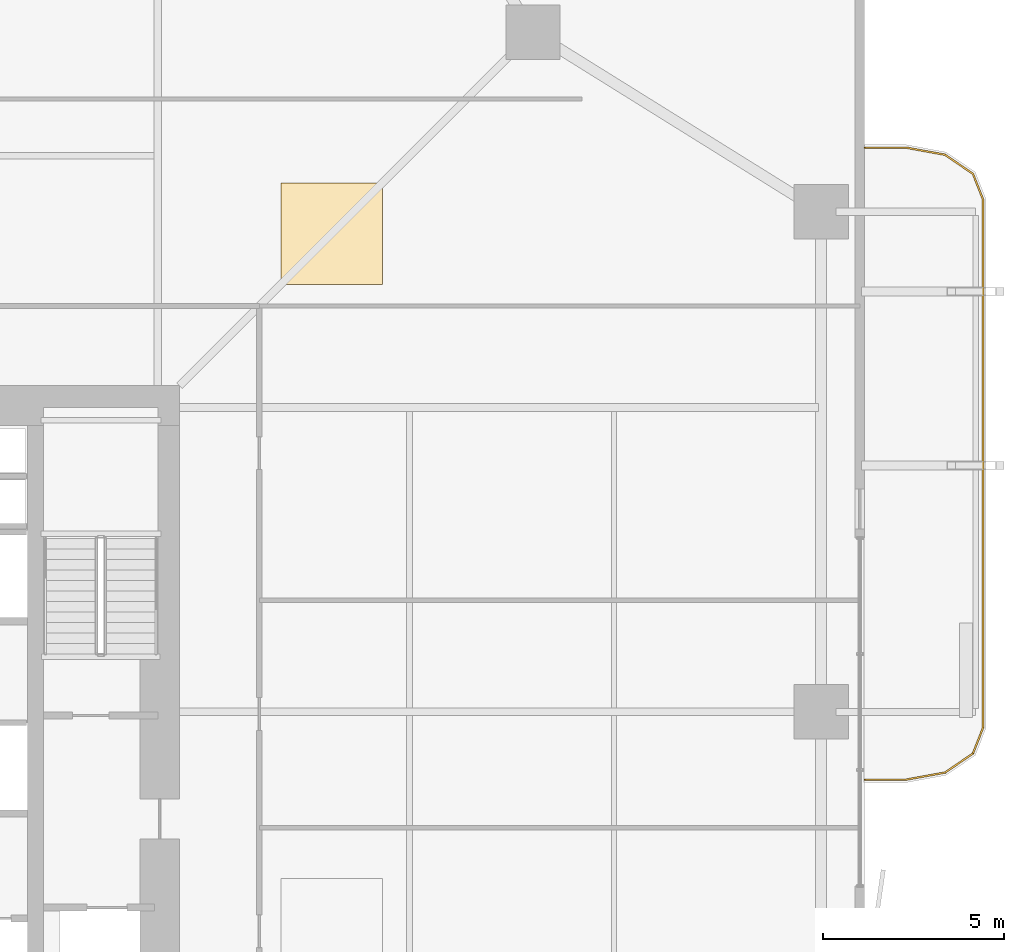
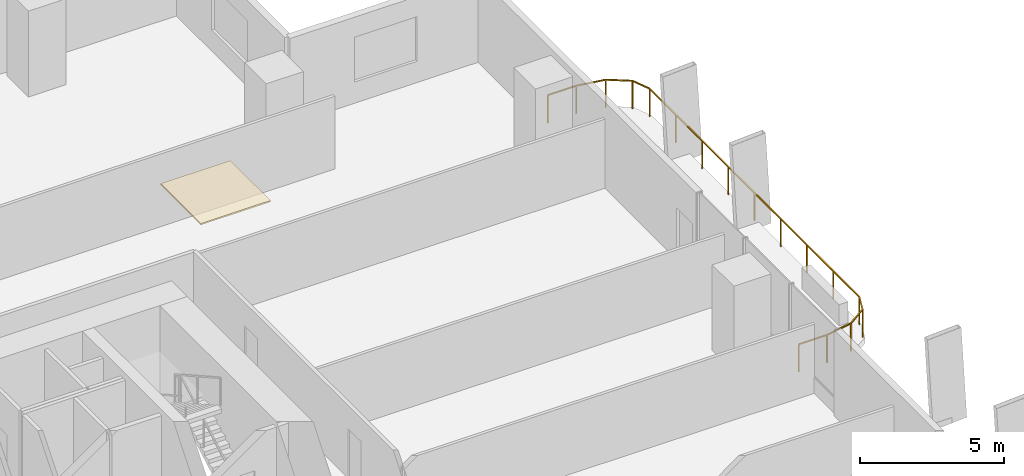
# One storey, part 24 of 24: 1 covering, 1 railing.
"""IFC4 building model written with IfcOpenShell, lengths in metres."""

from ifc_helpers import new_model, si_unit, direction, frame, origin, origin_2d, place, context, subcontext, project, spatial, polyline, rectangle, outline, extrude, material, layer, layer_set, type_object, element, save


model = new_model("IFC4")

# Units and contexts
model_context = context("Model", 3, precision=1e-05, world=origin(), true_north=direction((0.0, 1.0)))
body_context = subcontext(model_context, "Body", "Model", "MODEL_VIEW")
ifc_project = project(units=[si_unit("LENGTHUNIT", "METRE"), si_unit("AREAUNIT", "SQUARE_METRE"), si_unit("VOLUMEUNIT", "CUBIC_METRE"), si_unit("PLANEANGLEUNIT", "RADIAN"), si_unit("MASSUNIT", "GRAM", prefix="KILO")], contexts=[model_context])

# Site, building, storey
site_placement = place(None, origin())
site = spatial("IfcSite", under=ifc_project, at=site_placement, CompositionType="ELEMENT")
building_placement = place(site_placement, origin())
building = spatial("IfcBuilding", under=site, at=building_placement, Name="Belovzor Exchange Tower", CompositionType="ELEMENT")
storey_placement = place(building_placement, frame((0.0, 0.0, 37.800048828125)))
storey = spatial("IfcBuildingStorey", under=building, at=storey_placement, Name="L08", CompositionType="ELEMENT", Elevation=37.800048828125)

# Railing
ifc_material_1 = material(Name="Stainless Steel and Laminated Safety Glass", Category="steel")
railing_type = type_object("IfcRailingType", Name="Laminated Glass & Stainless Steel Balcony Balustrade 1200", PredefinedType="BALUSTRADE", material=ifc_material_1)
railing_placement = place(storey_placement, frame((56.7099609375, 26.929931640625, 0.0)))
element("IfcRailing", 1, at=railing_placement, inside=storey, type_object=railing_type, Name="GR-1 Balcony Balustrade L08 East", PredefinedType="BALUSTRADE", context=body_context, shape_type="SweptSolid", body=[
    extrude(rectangle(XDim=0.048095703125, YDim=0.048095703125, at=origin_2d()), frame((0.0, 0.0, 1.17578125), z_axis=(1.0, 0.0, 0.0), x_axis=(0.0, 1.0, 0.0)), (0.0, 0.0, 1.0), 1.133056640625),
    extrude(rectangle(XDim=0.048095703125, YDim=0.048095703125, at=origin_2d()), frame((1.133056640625, 0.0, 1.17578125), z_axis=(0.983644145941, 0.180122719713, 0.0), x_axis=(-0.180122719713, 0.983644145941, 0.0)), (0.0, 0.0, 1.0), 1.09375),
    extrude(rectangle(XDim=0.048095703125, YDim=0.048095703125, at=origin_2d()), frame((2.208984375, 0.197021484375, 1.17578125), z_axis=(0.826493025367, 0.56294695933, 0.0), x_axis=(-0.56294695933, 0.826493025367, 0.0)), (0.0, 0.0, 1.0), 0.932861328125),
    extrude(rectangle(XDim=0.048095703125, YDim=0.048095703125, at=origin_2d()), frame((2.97998046875, 0.72216796875, 1.17578125), z_axis=(0.365612923861, 0.930766990125, 0.0), x_axis=(-0.930766990125, 0.365612923861, 0.0)), (0.0, 0.0, 1.0), 0.765869140625),
    extrude(rectangle(XDim=0.048095703125, YDim=0.048095703125, at=origin_2d()), frame((3.260009765625, 1.43505859375, 1.17578125), z_axis=(0.0, 1.0, 0.0), x_axis=(-1.0, 0.0, 0.0)), (0.0, 0.0, 1.0), 14.570068359375),
    extrude(rectangle(XDim=0.048095703125, YDim=0.048095703125, at=origin_2d()), frame((3.260009765625, 16.005126953125, 1.17578125), z_axis=(-0.365612923861, 0.930766990125, 0.0), x_axis=(-0.930766990125, -0.365612923861, 0.0)), (0.0, 0.0, 1.0), 0.765869140625),
    extrude(rectangle(XDim=0.048095703125, YDim=0.048095703125, at=origin_2d()), frame((2.97998046875, 16.718017578125, 1.17578125), z_axis=(-0.826493025367, 0.56294695933, 0.0), x_axis=(-0.56294695933, -0.826493025367, 0.0)), (0.0, 0.0, 1.0), 0.932861328125),
    extrude(rectangle(XDim=0.048095703125, YDim=0.048095703125, at=origin_2d()), frame((2.208984375, 17.2431640625, 1.17578125), z_axis=(-0.983644145941, 0.180122719713, 0.0), x_axis=(-0.180122719713, -0.983644145941, 0.0)), (0.0, 0.0, 1.0), 1.09375),
    extrude(rectangle(XDim=0.048095703125, YDim=0.048095703125, at=origin_2d()), frame((1.133056640625, 17.440185546875, 1.17578125), z_axis=(-1.0, 0.0, 0.0), x_axis=(0.0, -1.0, 0.0)), (0.0, 0.0, 1.0), 1.133056640625),
    extrude(rectangle(XDim=0.0419921875, YDim=0.0419921875, at=origin_2d()), origin(), (0.0, 0.0, 1.0), 1.15185546875),
    extrude(rectangle(XDim=0.0419921875, YDim=0.0419921875, at=origin_2d()), frame((1.133056640625, 0.0, 0.0)), (0.0, 0.0, 1.0), 1.15185546875),
    extrude(rectangle(XDim=0.0419921875, YDim=0.0419921875, at=origin_2d()), frame((2.208984375, 0.197021484375, 0.0)), (0.0, 0.0, 1.0), 1.15185546875),
    extrude(rectangle(XDim=0.0419921875, YDim=0.0419921875, at=origin_2d()), frame((2.97998046875, 0.72216796875, 0.0)), (0.0, 0.0, 1.0), 1.15185546875),
    extrude(rectangle(XDim=0.0419921875, YDim=0.0419921875, at=origin_2d()), frame((3.260009765625, 1.43505859375, 0.0)), (0.0, 0.0, 1.0), 1.15185546875),
    extrude(rectangle(XDim=0.0419921875, YDim=0.0419921875, at=origin_2d()), frame((3.260009765625, 3.25634765625, 0.0)), (0.0, 0.0, 1.0), 1.15185546875),
    extrude(rectangle(XDim=0.0419921875, YDim=0.0419921875, at=origin_2d()), frame((3.260009765625, 5.07763671875, 0.0)), (0.0, 0.0, 1.0), 1.15185546875),
    extrude(rectangle(XDim=0.0419921875, YDim=0.0419921875, at=origin_2d()), frame((3.260009765625, 6.89892578125, 0.0)), (0.0, 0.0, 1.0), 1.15185546875),
    extrude(rectangle(XDim=0.0419921875, YDim=0.0419921875, at=origin_2d()), frame((3.260009765625, 8.72021484375, 0.0)), (0.0, 0.0, 1.0), 1.15185546875),
    extrude(rectangle(XDim=0.0419921875, YDim=0.0419921875, at=origin_2d()), frame((3.260009765625, 10.541259765625, 0.0)), (0.0, 0.0, 1.0), 1.15185546875),
    extrude(rectangle(XDim=0.0419921875, YDim=0.0419921875, at=origin_2d()), frame((3.260009765625, 12.362548828125, 0.0)), (0.0, 0.0, 1.0), 1.15185546875),
    extrude(rectangle(XDim=0.0419921875, YDim=0.0419921875, at=origin_2d()), frame((3.260009765625, 14.183837890625, 0.0)), (0.0, 0.0, 1.0), 1.15185546875),
    extrude(rectangle(XDim=0.0419921875, YDim=0.0419921875, at=origin_2d()), frame((3.260009765625, 16.005126953125, 0.0)), (0.0, 0.0, 1.0), 1.15185546875),
    extrude(rectangle(XDim=0.0419921875, YDim=0.0419921875, at=origin_2d()), frame((2.97998046875, 16.718017578125, 0.0)), (0.0, 0.0, 1.0), 1.15185546875),
    extrude(rectangle(XDim=0.0419921875, YDim=0.0419921875, at=origin_2d()), frame((2.208984375, 17.2431640625, 0.0)), (0.0, 0.0, 1.0), 1.15185546875),
    extrude(rectangle(XDim=0.0419921875, YDim=0.0419921875, at=origin_2d()), frame((1.133056640625, 17.440185546875, 0.0)), (0.0, 0.0, 1.0), 1.15185546875),
    extrude(rectangle(XDim=0.0419921875, YDim=0.0419921875, at=origin_2d()), frame((0.0, 17.440185546875, 0.0)), (0.0, 0.0, 1.0), 1.15185546875),
])

# Covering
ifc_material_2 = material(Name="Perforated Powder-Coated Aluminium", Category="aluminium")
ifc_layer = layer(ifc_material_2, 0.06005859375)
ifc_layer_set = layer_set([ifc_layer], Name="Perforated Powder-Coated Aluminium")
covering_type = type_object("IfcCoveringType", Name="Perforated Acoustic Metal Tile Suspended Ceiling 60", PredefinedType="CEILING", material=ifc_layer_set)
covering_placement = place(storey_placement, frame((0.0, 0.0, 3.58984375)))
element("IfcCovering", 2, at=covering_placement, inside=storey, type_object=covering_type, Name="CLG-AC60 Suspended Ceiling CLG-L08-Z1", PredefinedType="CEILING", context=body_context, shape_type="SweptSolid", body=[
    extrude(outline(polyline([(40.60009765625, 40.60009765625), (43.39990234375, 40.60009765625), (43.39990234375, 43.39990234375), (40.60009765625, 43.39990234375), (40.60009765625, 40.60009765625)])), origin(), (0.0, 0.0, 1.0), 0.06005859375),
])

save(model, "model.ifc")
